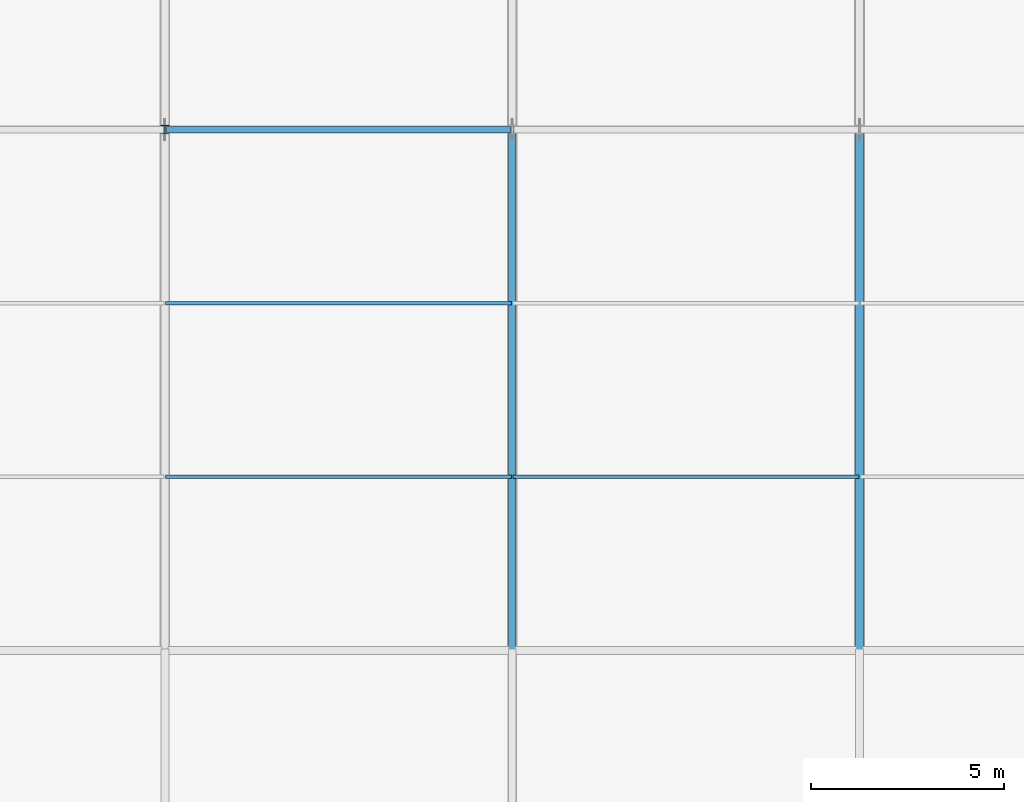
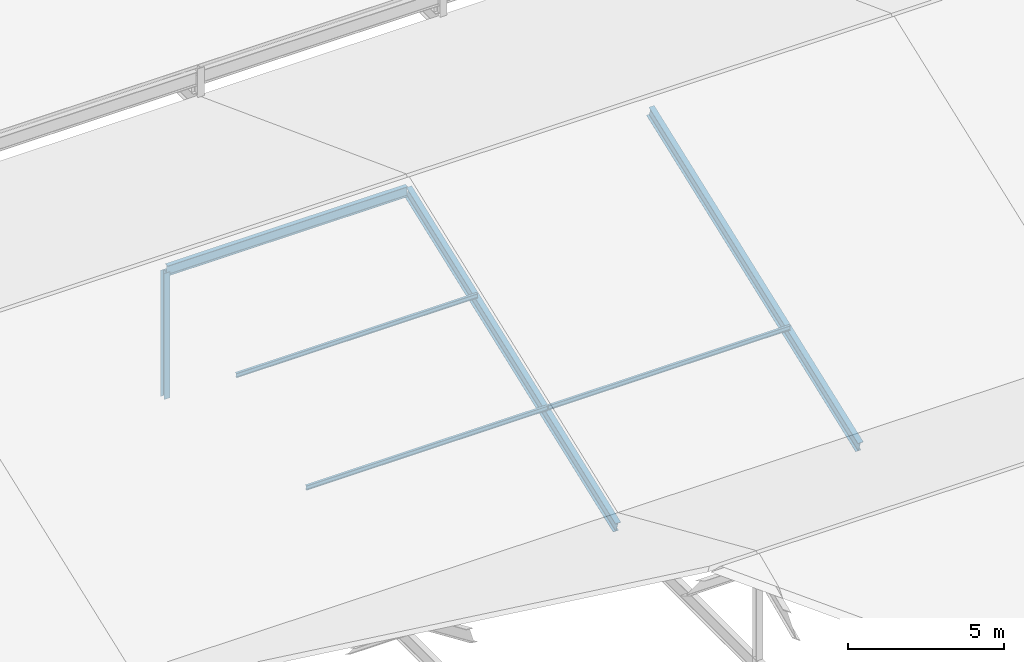
# One storey, part 39 of 163: 7 members.
"""IFC4 building model written with IfcOpenShell, lengths in metres."""

from ifc_helpers import new_model, si_unit, direction, frame, origin, origin_2d, place, context, subcontext, project, spatial, i_section, extrude, material, material_profile, profile_set, type_object, element, save


model = new_model("IFC4")

# Units and contexts
model_context = context("Model", 3, precision=1e-05, world=origin(), true_north=direction((0.0, 1.0)))
body_context = subcontext(model_context, "Body", "Model", "MODEL_VIEW")
ifc_project = project(units=[si_unit("LENGTHUNIT", "METRE"), si_unit("AREAUNIT", "SQUARE_METRE"), si_unit("VOLUMEUNIT", "CUBIC_METRE"), si_unit("PLANEANGLEUNIT", "RADIAN"), si_unit("MASSUNIT", "GRAM", prefix="KILO")], contexts=[model_context])

# Site, building, storey
site_placement = place(None, origin())
site = spatial("IfcSite", under=ifc_project, at=site_placement, CompositionType="ELEMENT")
building_placement = place(site_placement, origin())
building = spatial("IfcBuilding", under=site, at=building_placement, Name="Tharagai Park Tramway Depot", CompositionType="ELEMENT")
storey_placement = place(building_placement, frame((0.0, 0.0, 8.39990234375)))
storey = spatial("IfcBuildingStorey", under=building, at=storey_placement, Name="L02", CompositionType="ELEMENT", Elevation=8.39990234375)

# Members
ifc_material_1 = material(Name="Steel E350", Category="steel")
ifc_material_profile_1 = material_profile(ifc_material_1, i_section(OverallWidth=0.22509765625, OverallDepth=0.22509765625, WebThickness=0.008544921875, FlangeThickness=0.009033203125, FilletRadius=0.010009765625, at=origin_2d()), Name="ISHB 225")
ifc_profile_set_1 = profile_set([ifc_material_profile_1], Name="Steel E350")
member_type_1 = type_object("IfcMemberType", Name="BR-02", PredefinedType="BRACE", material=ifc_profile_set_1)
member_1_placement = place(storey_placement, frame((45.0, 76.5, -0.5), z_axis=(0.0, 0.0, 1.0), x_axis=(1.0, 0.0, 0.0)))
element("IfcMember", 1, at=member_1_placement, inside=storey, type_object=member_type_1, Name="V2B Gable King Strut BR-02", PredefinedType="BRACE", context=body_context, shape_type="SweptSolid", body=[
    extrude(i_section(OverallWidth=0.22509765625, OverallDepth=0.22509765625, WebThickness=0.008544921875, FlangeThickness=0.009033203125, FilletRadius=0.010009765625, at=origin_2d()), origin(), (0.0, 0.0, 1.0), 4.946044921875),
])
ifc_material_2 = material(Name="Steel E250", Category="steel")
ifc_material_profile_2 = material_profile(ifc_material_2, i_section(OverallWidth=0.090087890625, OverallDepth=0.175048828125, WebThickness=0.005615234375, FlangeThickness=0.009033203125, FilletRadius=0.010009765625, at=origin_2d()), Name="ISMB 175")
ifc_profile_set_2 = profile_set([ifc_material_profile_2], Name="Steel E250")
member_type_2 = type_object("IfcMemberType", Name="PR-01", PredefinedType="PURLIN", material=ifc_profile_set_2)
for number, where, z_axis, x_axis, name in (
    (2, (45.02001953125, 67.5, 1.398681640625), (1.0, 0.0, 0.0), (0.0, 1.0, 0.0), "V2B Roof Purlin PR-01"),
    (3, (45.02001953125, 72.0, 3.0810546875), (1.0, 0.0, 0.0), (0.0, 1.0, 0.0), "V2B Roof Purlin PR-01"),
    (4, (54.02001953125, 67.5, 1.398681640625), (1.0, 0.0, 0.0), (0.0, 1.0, 0.0), "V2B Roof Purlin PR-01"),
):
    element("IfcMember", number, at=place(storey_placement, frame(where, z_axis=z_axis, x_axis=x_axis)), inside=storey, type_object=member_type_2, Name=name, PredefinedType="PURLIN", context=body_context, shape_type="SweptSolid", body=[
        extrude(i_section(OverallWidth=0.090087890625, OverallDepth=0.175048828125, WebThickness=0.005615234375, FlangeThickness=0.009033203125, FilletRadius=0.010009765625, at=origin_2d()), origin(), (0.0, 0.0, 1.0), 8.9599609375),
    ])
ifc_material_profile_3 = material_profile(ifc_material_1, i_section(OverallWidth=0.199951171875, OverallDepth=0.449951171875, WebThickness=0.00927734375, FlangeThickness=0.015380859375, FilletRadius=0.014892578125, at=origin_2d()), Name="ISWB 450")
ifc_profile_set_3 = profile_set([ifc_material_profile_3], Name="Steel E350")
member_type_3 = type_object("IfcMemberType", Name="RF-03", PredefinedType="RAFTER", material=ifc_profile_set_3)
for number, where, z_axis, x_axis, name in (
    (5, (54.0, 63.050048828125, -0.601318359375), (0.0, 0.936246041069, 0.35134505914), (-1.0, 0.0, 0.0), "V2B Pitched Rafter RF-03 South"),
    (6, (63.0, 63.050048828125, -0.601318359375), (0.0, 0.936246041069, 0.35134505914), (-1.0, 0.0, 0.0), "V2B Pitched Rafter RF-03 South"),
):
    element("IfcMember", number, at=place(storey_placement, frame(where, z_axis=z_axis, x_axis=x_axis)), inside=storey, type_object=member_type_3, Name=name, PredefinedType="RAFTER", context=body_context, shape_type="SweptSolid", body=[
        extrude(i_section(OverallWidth=0.199951171875, OverallDepth=0.449951171875, WebThickness=0.00927734375, FlangeThickness=0.015380859375, FilletRadius=0.014892578125, at=origin_2d()), origin(), (0.0, 0.0, 1.0), 14.36572265625),
    ])
ifc_material_profile_4 = material_profile(ifc_material_1, i_section(OverallWidth=0.1650390625, OverallDepth=0.39990234375, WebThickness=0.008056640625, FlangeThickness=0.012451171875, FilletRadius=0.013916015625, at=origin_2d()), Name="ISLB 400")
ifc_profile_set_4 = profile_set([ifc_material_profile_4], Name="Steel E350")
member_type_4 = type_object("IfcMemberType", Name="TC-04", PredefinedType="CHORD", material=ifc_profile_set_4)
member_2_placement = place(storey_placement, frame((45.0400390625, 76.5, 4.470947265625), z_axis=(1.0, 0.0, 0.0), x_axis=(0.0, 1.0, 0.0)))
element("IfcMember", 7, at=member_2_placement, inside=storey, type_object=member_type_4, Name="V2B Roof Ridge Chord TC-04", PredefinedType="CHORD", context=body_context, shape_type="SweptSolid", body=[
    extrude(i_section(OverallWidth=0.1650390625, OverallDepth=0.39990234375, WebThickness=0.008056640625, FlangeThickness=0.012451171875, FilletRadius=0.013916015625, at=origin_2d()), origin(), (0.0, 0.0, 1.0), 8.919921875),
])

save(model, "model.ifc")
